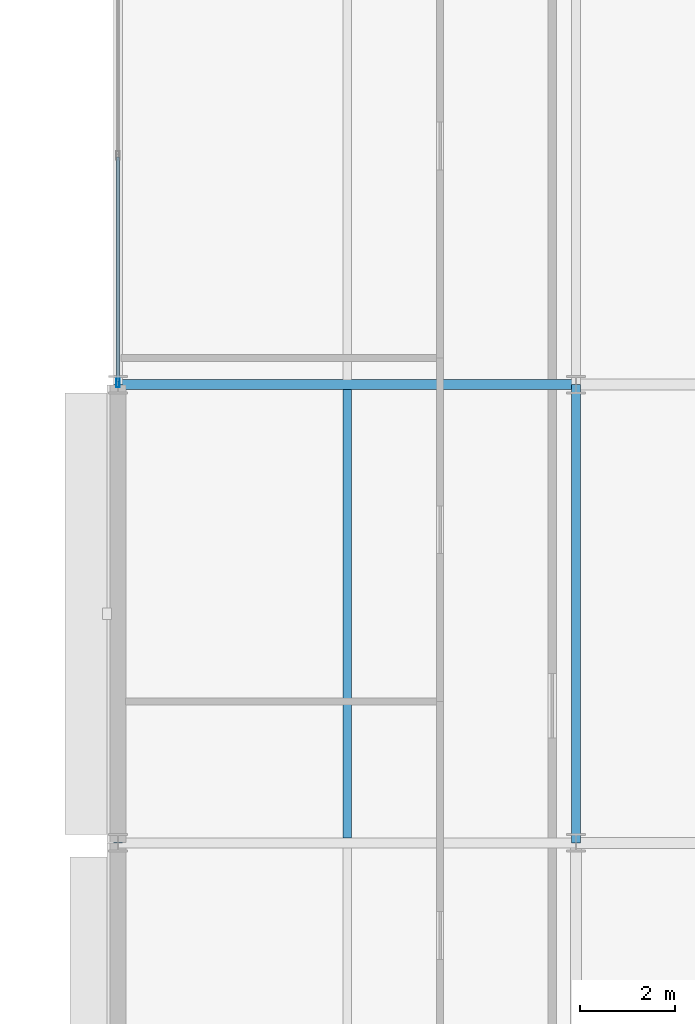
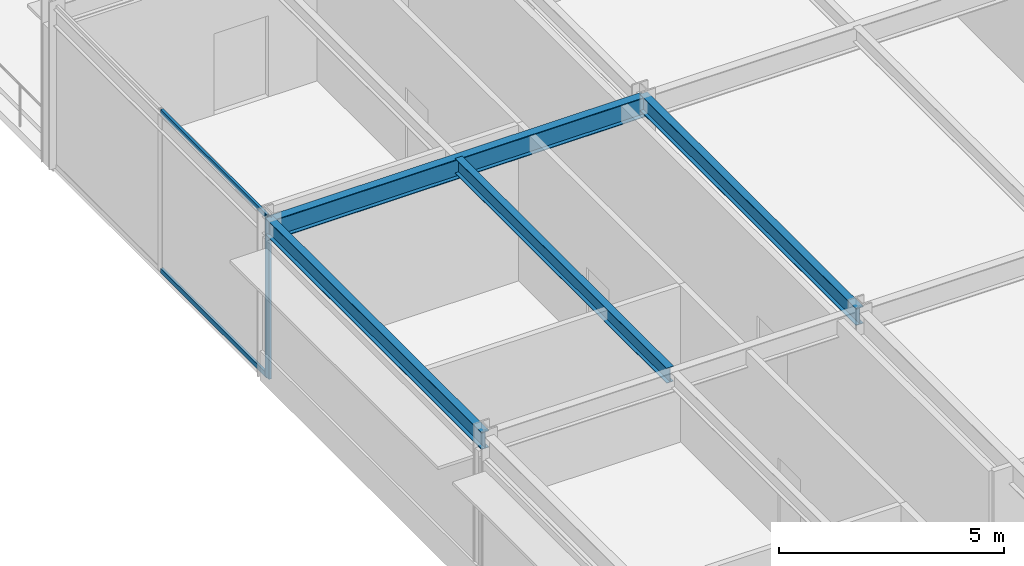
# One storey, part 103 of 157: 4 beams, 3 members, 1 element without a shape of its own.
"""IFC4 building model written with IfcOpenShell, lengths in metres."""

from ifc_helpers import new_model, si_unit, direction, frame, origin, origin_2d, place, context, subcontext, project, spatial, hollow_rectangle, i_section, extrude, material, material_profile, profile_set, type_object, element, aggregate, save


model = new_model("IFC4")

# Units and contexts
model_context = context("Model", 3, precision=1e-05, world=origin(), true_north=direction((0.0, 1.0)))
body_context = subcontext(model_context, "Body", "Model", "MODEL_VIEW")
ifc_project = project(units=[si_unit("LENGTHUNIT", "METRE"), si_unit("AREAUNIT", "SQUARE_METRE"), si_unit("VOLUMEUNIT", "CUBIC_METRE"), si_unit("PLANEANGLEUNIT", "RADIAN"), si_unit("MASSUNIT", "GRAM", prefix="KILO")], contexts=[model_context])

# Site, building, storey
site_placement = place(None, origin())
site = spatial("IfcSite", under=ifc_project, at=site_placement, CompositionType="ELEMENT")
building_placement = place(site_placement, origin())
building = spatial("IfcBuilding", under=site, at=building_placement, Name="Almandine Court Research Institute", CompositionType="ELEMENT")
storey_placement = place(building_placement, frame((0.0, 0.0, 5.25)))
storey = spatial("IfcBuildingStorey", under=building, at=storey_placement, Name="L01", CompositionType="ELEMENT", Elevation=5.25)

# Beams
ifc_material_1 = material(Name="Steel ASTM A992 Grade 50", Category="steel")
ifc_material_profile_1 = material_profile(ifc_material_1, i_section(OverallWidth=0.18994140625, OverallDepth=0.45703125, WebThickness=0.009033203125, FlangeThickness=0.014892578125, at=origin_2d()), Name="W460x74")
ifc_profile_set_1 = profile_set([ifc_material_profile_1], Name="Steel ASTM A992 Grade 50")
beam_type_1 = type_object("IfcBeamType", Name="Beam-B-01", PredefinedType="BEAM", material=ifc_profile_set_1)
for number, where, z_axis, x_axis, name in (
    (1, (153.60009765625, 84.0, 4.14111328125), (0.0, 1.0, 0.0), (-1.0, 0.0, 0.0), "L01 V4 Primary Y Girder"),
    (2, (163.199951171875, 84.0, 4.14111328125), (0.0, 1.0, 0.0), (-1.0, 0.0, 0.0), "L01 V4 Primary Y Girder"),
):
    element("IfcBeam", number, at=place(storey_placement, frame(where, z_axis=z_axis, x_axis=x_axis)), inside=storey, type_object=beam_type_1, Name=name, PredefinedType="BEAM", context=body_context, shape_type="SweptSolid", body=[
        extrude(i_section(OverallWidth=0.18994140625, OverallDepth=0.45703125, WebThickness=0.009033203125, FlangeThickness=0.014892578125, at=origin_2d()), origin(), (0.0, 0.0, 1.0), 9.60009765625),
    ])
ifc_material_profile_2 = material_profile(ifc_material_1, i_section(OverallWidth=0.178955078125, OverallDepth=0.409912109375, WebThickness=0.009033203125, FlangeThickness=0.013916015625, at=origin_2d()), Name="W410x67")
ifc_profile_set_2 = profile_set([ifc_material_profile_2], Name="Steel ASTM A992 Grade 50")
beam_type_2 = type_object("IfcBeamType", Name="Beam-B-02", PredefinedType="JOIST", material=ifc_profile_set_2)
beam_1_placement = place(storey_placement, frame((158.39990234375, 84.10302734375, 4.1650390625), z_axis=(0.0, 1.0, 0.0), x_axis=(-1.0, 0.0, 0.0)))
element("IfcBeam", 3, at=beam_1_placement, inside=storey, type_object=beam_type_2, Name="L01 V4 Composite Secondary Beam", PredefinedType="JOIST", context=body_context, shape_type="SweptSolid", body=[
    extrude(i_section(OverallWidth=0.178955078125, OverallDepth=0.409912109375, WebThickness=0.009033203125, FlangeThickness=0.013916015625, at=origin_2d()), origin(), (0.0, 0.0, 1.0), 9.39306640625),
])
ifc_material_profile_3 = material_profile(ifc_material_1, i_section(OverallWidth=0.2109375, OverallDepth=0.5390625, WebThickness=0.011962890625, FlangeThickness=0.01904296875, at=origin_2d()), Name="W530x109")
ifc_profile_set_3 = profile_set([ifc_material_profile_3], Name="Steel ASTM A992 Grade 50")
beam_type_3 = type_object("IfcBeamType", Name="Beam-G-04", PredefinedType="BEAM", material=ifc_profile_set_3)
beam_2_placement = place(storey_placement, frame((153.60009765625, 93.60009765625, 4.052978515625), z_axis=(1.0, 0.0, 0.0), x_axis=(0.0, 1.0, 0.0)))
element("IfcBeam", 4, at=beam_2_placement, inside=storey, type_object=beam_type_3, Name="L01 V4 Primary X Girder", PredefinedType="BEAM", context=body_context, shape_type="SweptSolid", body=[
    extrude(i_section(OverallWidth=0.2109375, OverallDepth=0.5390625, WebThickness=0.011962890625, FlangeThickness=0.01904296875, at=origin_2d()), origin(), (0.0, 0.0, 1.0), 9.599853515625),
])

# Curtain wall, members
ifc_material_2 = material(Name="Unitised Curtain Wall Framing and Solar Glazing", Category="glass")
curtain_wall_type = type_object("IfcCurtainWallType", Name="CW-CWJ-02", PredefinedType="USERDEFINED", material=ifc_material_2)
curtain_wall_placement = place(storey_placement, origin())
curtain_wall = element("IfcCurtainWall", 5, at=curtain_wall_placement, inside=storey, type_object=curtain_wall_type, Name="L01 Wet Lab West Courtyard Jali Curtain Wall 9", ObjectType="SOLAR JALI SCREEN", PredefinedType="USERDEFINED")
ifc_material_3 = material(Name="Anodised Aluminium AW-6063-T6", Category="aluminium")
ifc_material_profile_4 = material_profile(ifc_material_3, hollow_rectangle(XDim=0.06494140625, YDim=0.179931640625, WallThickness=0.00390625, at=origin_2d()), Name="ALU RHS 65x180x4")
ifc_profile_set_4 = profile_set([ifc_material_profile_4], Name="Anodised Aluminium AW-6063-T6")
member_type_1 = type_object("IfcMemberType", Name="CWMul-65x180", PredefinedType="MULLION", material=ifc_profile_set_4)
member_1_placement = place(storey_placement, frame((153.60009765625, 93.636474609375, 0.0), z_axis=(0.0, 0.0, 1.0), x_axis=(-1.0, 0.0, 0.0)))
member_1 = element("IfcMember", 6, at=member_1_placement, type_object=member_type_1, Name="CWJ-02 mullion 1", PredefinedType="MULLION", context=body_context, shape_type="SweptSolid", body=[
    extrude(hollow_rectangle(XDim=0.06494140625, YDim=0.179931640625, WallThickness=0.00390625, at=origin_2d()), origin(), (0.0, 0.0, 1.0), 4.3701171875),
])
ifc_material_profile_5 = material_profile(ifc_material_3, hollow_rectangle(XDim=0.06494140625, YDim=0.1298828125, WallThickness=0.00390625, at=origin_2d()), Name="ALU RHS 65x130x4")
ifc_profile_set_5 = profile_set([ifc_material_profile_5], Name="Anodised Aluminium AW-6063-T6")
member_type_2 = type_object("IfcMemberType", Name="CWTrn-65x130", PredefinedType="NOTDEFINED", material=ifc_profile_set_5)
member_2_placement = place(storey_placement, frame((153.60009765625, 93.6689453125, 0.032470703125), z_axis=(0.0, 1.0, 0.0), x_axis=(-1.0, 0.0, 0.0)))
member_2 = element("IfcMember", 7, at=member_2_placement, type_object=member_type_2, Name="CWJ-02 transom 1.1", ObjectType="TRANSOM", PredefinedType="USERDEFINED", context=body_context, shape_type="SweptSolid", body=[
    extrude(hollow_rectangle(XDim=0.06494140625, YDim=0.1298828125, WallThickness=0.00390625, at=origin_2d()), origin(), (0.0, 0.0, 1.0), 4.698486328125),
])
member_3_placement = place(storey_placement, frame((153.60009765625, 93.6689453125, 4.33740234375), z_axis=(0.0, 1.0, 0.0), x_axis=(-1.0, 0.0, 0.0)))
member_3 = element("IfcMember", 8, at=member_3_placement, type_object=member_type_2, Name="CWJ-02 transom 1.2", ObjectType="TRANSOM", PredefinedType="USERDEFINED", context=body_context, shape_type="SweptSolid", body=[
    extrude(hollow_rectangle(XDim=0.06494140625, YDim=0.1298828125, WallThickness=0.00390625, at=origin_2d()), origin(), (0.0, 0.0, 1.0), 4.698486328125),
])
aggregate(curtain_wall, [member_1, member_2, member_3])

save(model, "model.ifc")
